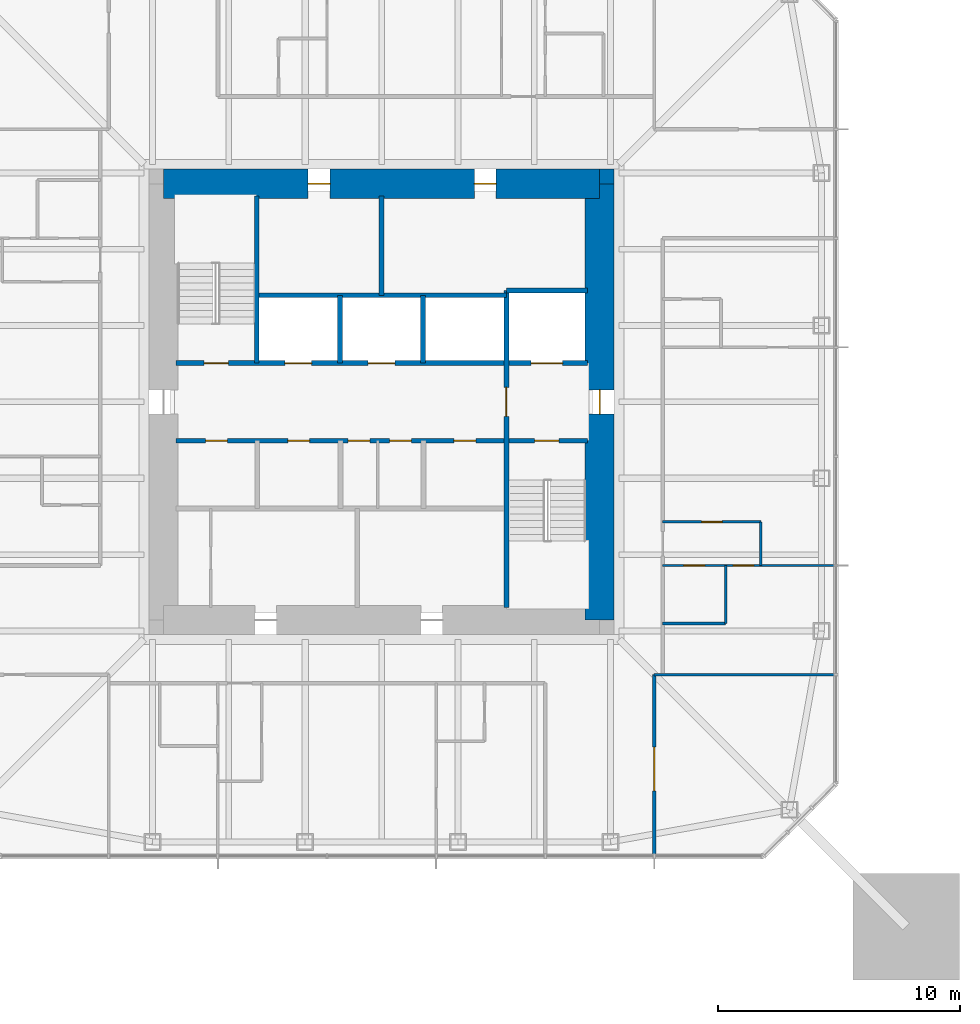
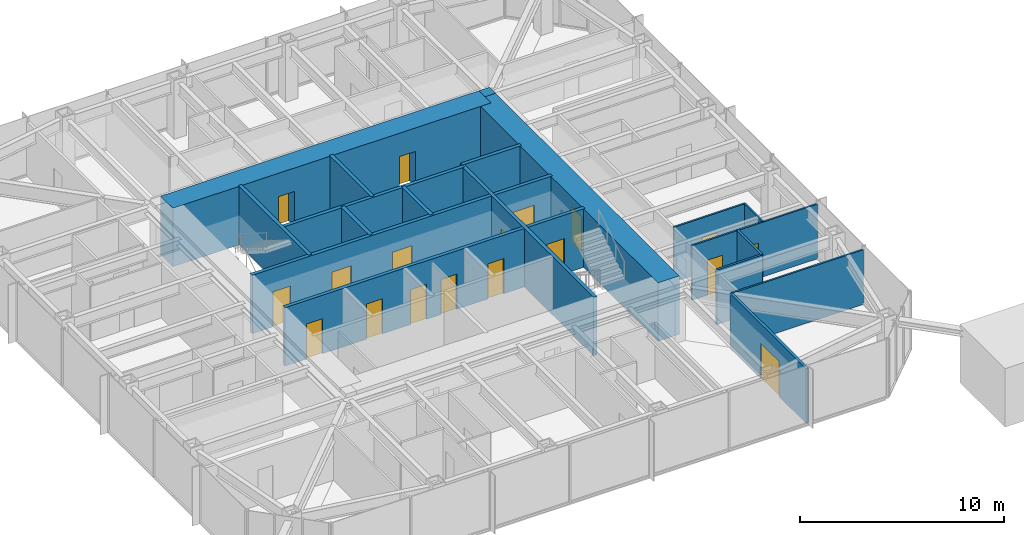
# One storey, part 7 of 11: 19 walls, 18 doors, 18 openings.
"""IFC4 building model written with IfcOpenShell, lengths in metres."""

from ifc_helpers import new_model, si_unit, direction, frame, frame_2d, origin, place, context, subcontext, project, spatial, rectangle, extrude, material, layer, layer_set, type_object, element, fill, save


model = new_model("IFC4")

# Units and contexts
model_context = context("Model", 3, precision=1e-05, world=origin(), true_north=direction((0.0, 1.0)))
body_context = subcontext(model_context, "Body", "Model", "MODEL_VIEW")
ifc_project = project(units=[si_unit("LENGTHUNIT", "METRE"), si_unit("AREAUNIT", "SQUARE_METRE"), si_unit("VOLUMEUNIT", "CUBIC_METRE"), si_unit("PLANEANGLEUNIT", "RADIAN"), si_unit("MASSUNIT", "GRAM", prefix="KILO")], contexts=[model_context])

# Site, building, storey
site_placement = place(None, origin())
site = spatial("IfcSite", under=ifc_project, at=site_placement, CompositionType="ELEMENT")
building_placement = place(site_placement, origin())
building = spatial("IfcBuilding", under=site, at=building_placement, Name="Iwan Alto Co-Living Towers", CompositionType="ELEMENT")
storey_placement = place(building_placement, frame((0.0, 0.0, 174.0)))
storey = spatial("IfcBuildingStorey", under=building, at=storey_placement, Name="L47", CompositionType="ELEMENT", Elevation=174.0)

# Wall, opening, door
ifc_material_1 = material(Name="Gypsum board")
ifc_layer_1 = layer(ifc_material_1, 0.02490234375, Name="Board", Category="Finish")
ifc_material_2 = material(Name="Steel ASTM A1003 ST33H cold-formed studs", Category="steel")
ifc_layer_2 = layer(ifc_material_2, 0.10009765625, Name="Studs", Category="Framing")
ifc_layer_3 = layer(ifc_material_1, 0.02490234375, Name="Board", Category="Finish")
ifc_layer_set_1 = layer_set([ifc_layer_1, ifc_layer_2, ifc_layer_3], Name="CORRIDOR WALL 150")
wall_type_1 = type_object("IfcWallType", Name="CORRIDOR WALL 150", PredefinedType="PARTITIONING", material=ifc_layer_set_1)
wall_1_placement = place(storey_placement, frame((11.25, -18.68994140625, 0.0), z_axis=(0.0, 0.0, 1.0), x_axis=(0.0, 1.0, 0.0)))
wall_1 = element("IfcWall", 1, at=wall_1_placement, inside=storey, type_object=wall_type_1, Name="Partition L47", PredefinedType="PARTITIONING", context=body_context, shape_type="SweptSolid", body=[
    extrude(rectangle(XDim=7.43994140625, YDim=0.14990234375, at=frame_2d((3.719970703125, 0.0))), origin(), (0.0, 0.0, 1.0), 3.27001953125),
])
opening_1_placement = place(wall_1_placement, frame((2.64501953125, 0.0, 0.0)))
opening_1 = element("IfcOpeningElement", 2, at=opening_1_placement, cuts=wall_1, Name="Opening D9", PredefinedType="OPENING", context=body_context, shape_type="SweptSolid", body=[
    extrude(rectangle(XDim=1.800048828125, YDim=2.10009765625, at=frame_2d((0.89990234375, 1.050048828125))), frame((0.0, 0.0849609375, 0.0), z_axis=(0.0, -1.0, 0.0), x_axis=(1.0, 0.0, 0.0)), (0.0, 0.0, 1.0), 0.169921875),
])
ifc_material_3 = material(Name="Steel frame with timber leaf", Category="steel")
door_type_1 = type_object("IfcDoorType", Name="LOUNGE DOOR FD30S 1800X2100", OperationType="DOUBLE_DOOR_SINGLE_SWING", PredefinedType="DOOR", material=ifc_material_3)
door_1_placement = place(opening_1_placement, frame((1.800048828125, 0.0, 0.0), z_axis=(0.0, 0.0, 1.0), x_axis=(-1.0, 0.0, 0.0)))
door_1 = element("IfcDoor", 3, at=door_1_placement, inside=storey, type_object=door_type_1, Name="Courtyard lounge door L47", OperationType="DOUBLE_DOOR_SINGLE_SWING", OverallHeight=2.10009765625, OverallWidth=1.800048828125, PredefinedType="DOOR", context=body_context, shape_type="SweptSolid", body=[
    extrude(rectangle(XDim=1.800048828125, YDim=2.10009765625, at=frame_2d((0.89990234375, 1.050048828125))), frame((0.0, 0.02490234375, 0.0), z_axis=(0.0, -1.0, 0.0), x_axis=(1.0, 0.0, 0.0)), (0.0, 0.0, 1.0), 0.050048828125),
])
fill(opening_1, door_1)

# Wall
ifc_layer_4 = layer(ifc_material_1, 0.012451171875, Name="Board", Category="Finish")
ifc_layer_5 = layer(ifc_material_2, 0.074951171875, Name="Studs", Category="Framing")
ifc_layer_6 = layer(ifc_material_1, 0.012451171875, Name="Board", Category="Finish")
ifc_layer_set_2 = layer_set([ifc_layer_4, ifc_layer_5, ifc_layer_6], Name="PARTITION 100")
wall_type_2 = type_object("IfcWallType", Name="PARTITION 100", PredefinedType="PARTITIONING", material=ifc_layer_set_2)
wall_2_placement = place(storey_placement, frame((11.25, -11.25, 0.0), z_axis=(0.0, 0.0, 1.0), x_axis=(1.0, 0.0, 0.0)))
element("IfcWall", 4, at=wall_2_placement, inside=storey, type_object=wall_type_2, Name="Partition L47", PredefinedType="PARTITIONING", context=body_context, shape_type="SweptSolid", body=[
    extrude(rectangle(XDim=7.43994140625, YDim=0.10009765625, at=frame_2d((3.719970703125, 0.0))), origin(), (0.0, 0.0, 1.0), 3.27001953125),
])

# Wall, openings, doors
wall_3_placement = place(storey_placement, frame((11.60009765625, -6.75, 0.0), z_axis=(0.0, 0.0, 1.0), x_axis=(1.0, 0.0, 0.0)))
wall_3 = element("IfcWall", 5, at=wall_3_placement, inside=storey, type_object=wall_type_2, Name="Partition L47", PredefinedType="PARTITIONING", context=body_context, shape_type="SweptSolid", body=[
    extrude(rectangle(XDim=7.08984375, YDim=0.10009765625, at=frame_2d((3.544921875, 0.0))), origin(), (0.0, 0.0, 1.0), 3.27001953125),
])
opening_2_placement = place(wall_3_placement, frame((2.89990234375, 0.0, 0.0)))
opening_2 = element("IfcOpeningElement", 6, at=opening_2_placement, cuts=wall_3, Name="Opening D2", PredefinedType="OPENING", context=body_context, shape_type="SweptSolid", body=[
    extrude(rectangle(XDim=0.85009765625, YDim=2.10009765625, at=frame_2d((0.425048828125, 1.050048828125))), frame((0.0, 0.06005859375, 0.0), z_axis=(0.0, -1.0, 0.0), x_axis=(1.0, 0.0, 0.0)), (0.0, 0.0, 1.0), 0.1201171875),
])
opening_3_placement = place(wall_3_placement, frame((0.875, 0.0, 0.0)))
opening_3 = element("IfcOpeningElement", 7, at=opening_3_placement, cuts=wall_3, Name="Opening D2", PredefinedType="OPENING", context=body_context, shape_type="SweptSolid", body=[
    extrude(rectangle(XDim=0.85009765625, YDim=2.10009765625, at=frame_2d((0.425048828125, 1.050048828125))), frame((0.0, 0.06005859375, 0.0), z_axis=(0.0, -1.0, 0.0), x_axis=(1.0, 0.0, 0.0)), (0.0, 0.0, 1.0), 0.1201171875),
])
ifc_material_4 = material(Name="Timber leaf in steel frame", Category="steel")
door_type_2 = type_object("IfcDoorType", Name="ROOM DOOR 850X2100", OperationType="SINGLE_SWING_LEFT", PredefinedType="DOOR", material=ifc_material_4)
door_2_placement = place(opening_2_placement, frame((0.85009765625, 0.0, 0.0), z_axis=(0.0, 0.0, 1.0), x_axis=(-1.0, 0.0, 0.0)))
door_2 = element("IfcDoor", 8, at=door_2_placement, inside=storey, type_object=door_type_2, Name="Bedroom door L47", OperationType="SINGLE_SWING_RIGHT", OverallHeight=2.10009765625, OverallWidth=0.85009765625, PredefinedType="DOOR", context=body_context, shape_type="SweptSolid", body=[
    extrude(rectangle(XDim=0.85009765625, YDim=2.10009765625, at=frame_2d((0.425048828125, 1.050048828125))), frame((0.0, 0.02490234375, 0.0), z_axis=(0.0, -1.0, 0.0), x_axis=(1.0, 0.0, 0.0)), (0.0, 0.0, 1.0), 0.050048828125),
])
fill(opening_2, door_2)
door_3_placement = place(opening_3_placement, frame((0.85009765625, 0.0, 0.0), z_axis=(0.0, 0.0, 1.0), x_axis=(-1.0, 0.0, 0.0)))
door_3 = element("IfcDoor", 9, at=door_3_placement, inside=storey, type_object=door_type_2, Name="Bathroom door L47", OperationType="SINGLE_SWING_RIGHT", OverallHeight=2.10009765625, OverallWidth=0.85009765625, PredefinedType="DOOR", context=body_context, shape_type="SweptSolid", body=[
    extrude(rectangle(XDim=0.85009765625, YDim=2.10009765625, at=frame_2d((0.425048828125, 1.050048828125))), frame((0.0, 0.02490234375, 0.0), z_axis=(0.0, -1.0, 0.0), x_axis=(1.0, 0.0, 0.0)), (0.0, 0.0, 1.0), 0.050048828125),
])
fill(opening_3, door_3)

# Wall, opening, door
wall_4_placement = place(storey_placement, frame((11.60009765625, -4.949951171875, 0.0), z_axis=(0.0, 0.0, 1.0), x_axis=(1.0, 0.0, 0.0)))
wall_4 = element("IfcWall", 10, at=wall_4_placement, inside=storey, type_object=wall_type_2, Name="Partition L47", PredefinedType="PARTITIONING", context=body_context, shape_type="SweptSolid", body=[
    extrude(rectangle(XDim=4.0498046875, YDim=0.10009765625, at=frame_2d((2.02490234375, 0.0))), origin(), (0.0, 0.0, 1.0), 3.27001953125),
])
opening_4_placement = place(wall_4_placement, frame((1.60009765625, 0.0, 0.0)))
opening_4 = element("IfcOpeningElement", 11, at=opening_4_placement, cuts=wall_4, Name="Opening D2", PredefinedType="OPENING", context=body_context, shape_type="SweptSolid", body=[
    extrude(rectangle(XDim=0.85009765625, YDim=2.10009765625, at=frame_2d((0.425048828125, 1.050048828125))), frame((0.0, 0.06005859375, 0.0), z_axis=(0.0, -1.0, 0.0), x_axis=(1.0, 0.0, 0.0)), (0.0, 0.0, 1.0), 0.1201171875),
])
door_4_placement = place(opening_4_placement, origin())
door_4 = element("IfcDoor", 12, at=door_4_placement, inside=storey, type_object=door_type_2, Name="Apartment foyer door L47", OperationType="SINGLE_SWING_LEFT", OverallHeight=2.10009765625, OverallWidth=0.85009765625, PredefinedType="DOOR", context=body_context, shape_type="SweptSolid", body=[
    extrude(rectangle(XDim=0.85009765625, YDim=2.10009765625, at=frame_2d((0.425048828125, 1.050048828125))), frame((0.0, 0.02490234375, 0.0), z_axis=(0.0, -1.0, 0.0), x_axis=(1.0, 0.0, 0.0)), (0.0, 0.0, 1.0), 0.050048828125),
])
fill(opening_4, door_4)

# Wall
wall_5_placement = place(storey_placement, frame((15.64990234375, -6.75, 0.0), z_axis=(0.0, 0.0, 1.0), x_axis=(0.0, 1.0, 0.0)))
element("IfcWall", 13, at=wall_5_placement, inside=storey, type_object=wall_type_2, Name="Partition L47", PredefinedType="PARTITIONING", context=body_context, shape_type="SweptSolid", body=[
    extrude(rectangle(XDim=1.800048828125, YDim=0.10009765625, at=frame_2d((0.89990234375, 0.0))), origin(), (0.0, 0.0, 1.0), 3.27001953125),
])

# Wall, openings, doors
ifc_material_5 = material(Name="Concrete f'c 70 MPa", Category="concrete")
ifc_layer_7 = layer(ifc_material_5, 0.199951171875)
ifc_layer_set_3 = layer_set([ifc_layer_7], Name="SHAFT WALL 200")
wall_type_3 = type_object("IfcWallType", Name="SHAFT WALL 200", PredefinedType="SOLIDWALL", material=ifc_layer_set_3)
wall_6_placement = place(storey_placement, frame((-8.489990234375, -1.60009765625, 0.0), z_axis=(0.0, 0.0, 1.0), x_axis=(1.0, 0.0, 0.0)))
wall_6 = element("IfcWall", 14, at=wall_6_placement, inside=storey, type_object=wall_type_3, Name="Shaft wall L47", PredefinedType="SOLIDWALL", context=body_context, shape_type="SweptSolid", body=[
    extrude(rectangle(XDim=16.97998046875, YDim=0.199951171875, at=frame_2d((8.489990234375, 0.0))), origin(), (0.0, 0.0, 1.0), 3.5),
])
opening_5_placement = place(wall_6_placement, frame((14.81005859375, 0.0, 0.0)))
opening_5 = element("IfcOpeningElement", 15, at=opening_5_placement, cuts=wall_6, Name="Opening D5", PredefinedType="OPENING", context=body_context, shape_type="SweptSolid", body=[
    extrude(rectangle(XDim=1.0, YDim=2.10009765625, at=frame_2d((0.5, 1.050048828125))), frame((0.0, 0.10986328125, 0.0), z_axis=(0.0, -1.0, 0.0), x_axis=(1.0, 0.0, 0.0)), (0.0, 0.0, 1.0), 0.219970703125),
])
opening_6_placement = place(wall_6_placement, frame((1.23193359375, 0.0, 0.0)))
opening_6 = element("IfcOpeningElement", 16, at=opening_6_placement, cuts=wall_6, Name="Opening D15", PredefinedType="OPENING", context=body_context, shape_type="SweptSolid", body=[
    extrude(rectangle(XDim=0.89990234375, YDim=2.10009765625, at=frame_2d((0.449951171875, 1.050048828125))), frame((0.0, 0.10986328125, 0.0), z_axis=(0.0, -1.0, 0.0), x_axis=(1.0, 0.0, 0.0)), (0.0, 0.0, 1.0), 0.219970703125),
])
opening_7_placement = place(wall_6_placement, frame((4.626953125, 0.0, 0.0)))
opening_7 = element("IfcOpeningElement", 17, at=opening_7_placement, cuts=wall_6, Name="Opening D15", PredefinedType="OPENING", context=body_context, shape_type="SweptSolid", body=[
    extrude(rectangle(XDim=0.89990234375, YDim=2.10009765625, at=frame_2d((0.449951171875, 1.050048828125))), frame((0.0, 0.10986328125, 0.0), z_axis=(0.0, -1.0, 0.0), x_axis=(1.0, 0.0, 0.0)), (0.0, 0.0, 1.0), 0.219970703125),
])
opening_8_placement = place(wall_6_placement, frame((8.822998046875, 0.0, 0.0)))
opening_8 = element("IfcOpeningElement", 18, at=opening_8_placement, cuts=wall_6, Name="Opening D15", PredefinedType="OPENING", context=body_context, shape_type="SweptSolid", body=[
    extrude(rectangle(XDim=0.89990234375, YDim=2.10009765625, at=frame_2d((0.449951171875, 1.050048828125))), frame((0.0, 0.10986328125, 0.0), z_axis=(0.0, -1.0, 0.0), x_axis=(1.0, 0.0, 0.0)), (0.0, 0.0, 1.0), 0.219970703125),
])
opening_9_placement = place(wall_6_placement, frame((7.110107421875, 0.0, 0.0)))
opening_9 = element("IfcOpeningElement", 19, at=opening_9_placement, cuts=wall_6, Name="Opening D15", PredefinedType="OPENING", context=body_context, shape_type="SweptSolid", body=[
    extrude(rectangle(XDim=0.89990234375, YDim=2.10009765625, at=frame_2d((0.449951171875, 1.050048828125))), frame((0.0, 0.10986328125, 0.0), z_axis=(0.0, -1.0, 0.0), x_axis=(1.0, 0.0, 0.0)), (0.0, 0.0, 1.0), 0.219970703125),
])
opening_10_placement = place(wall_6_placement, frame((11.47802734375, 0.0, 0.0)))
opening_10 = element("IfcOpeningElement", 20, at=opening_10_placement, cuts=wall_6, Name="Opening D15", PredefinedType="OPENING", context=body_context, shape_type="SweptSolid", body=[
    extrude(rectangle(XDim=0.89990234375, YDim=2.10009765625, at=frame_2d((0.449951171875, 1.050048828125))), frame((0.0, 0.10986328125, 0.0), z_axis=(0.0, -1.0, 0.0), x_axis=(1.0, 0.0, 0.0)), (0.0, 0.0, 1.0), 0.219970703125),
])
ifc_material_6 = material(Name="Steel frame with timber leaf", Category="steel")
door_type_3 = type_object("IfcDoorType", Name="CORE ROOM DOOR FD60S 900X2100", OperationType="SINGLE_SWING_LEFT", PredefinedType="DOOR", material=ifc_material_6)
door_5_placement = place(opening_6_placement, frame((0.89990234375, 0.0, 0.0), z_axis=(0.0, 0.0, 1.0), x_axis=(-1.0, 0.0, 0.0)))
door_5 = element("IfcDoor", 21, at=door_5_placement, inside=storey, type_object=door_type_3, Name="Housekeeping store door L47", OperationType="SINGLE_SWING_LEFT", OverallHeight=2.10009765625, OverallWidth=0.89990234375, PredefinedType="DOOR", context=body_context, shape_type="SweptSolid", body=[
    extrude(rectangle(XDim=0.89990234375, YDim=2.10009765625, at=frame_2d((0.449951171875, 1.050048828125))), frame((0.0, 0.02490234375, 0.0), z_axis=(0.0, -1.0, 0.0), x_axis=(1.0, 0.0, 0.0)), (0.0, 0.0, 1.0), 0.050048828125),
])
fill(opening_6, door_5)
door_6_placement = place(opening_7_placement, frame((0.89990234375, 0.0, 0.0), z_axis=(0.0, 0.0, 1.0), x_axis=(-1.0, 0.0, 0.0)))
door_6 = element("IfcDoor", 22, at=door_6_placement, inside=storey, type_object=door_type_3, Name="Linen store door L47", OperationType="SINGLE_SWING_RIGHT", OverallHeight=2.10009765625, OverallWidth=0.89990234375, PredefinedType="DOOR", context=body_context, shape_type="SweptSolid", body=[
    extrude(rectangle(XDim=0.89990234375, YDim=2.10009765625, at=frame_2d((0.449951171875, 1.050048828125))), frame((0.0, 0.02490234375, 0.0), z_axis=(0.0, -1.0, 0.0), x_axis=(1.0, 0.0, 0.0)), (0.0, 0.0, 1.0), 0.050048828125),
])
fill(opening_7, door_6)
door_7_placement = place(opening_8_placement, frame((0.89990234375, 0.0, 0.0), z_axis=(0.0, 0.0, 1.0), x_axis=(-1.0, 0.0, 0.0)))
door_7 = element("IfcDoor", 23, at=door_7_placement, inside=storey, type_object=door_type_3, Name="IT room door L47", OperationType="SINGLE_SWING_RIGHT", OverallHeight=2.10009765625, OverallWidth=0.89990234375, PredefinedType="DOOR", context=body_context, shape_type="SweptSolid", body=[
    extrude(rectangle(XDim=0.89990234375, YDim=2.10009765625, at=frame_2d((0.449951171875, 1.050048828125))), frame((0.0, 0.02490234375, 0.0), z_axis=(0.0, -1.0, 0.0), x_axis=(1.0, 0.0, 0.0)), (0.0, 0.0, 1.0), 0.050048828125),
])
fill(opening_8, door_7)
door_8_placement = place(opening_9_placement, frame((0.89990234375, 0.0, 0.0), z_axis=(0.0, 0.0, 1.0), x_axis=(-1.0, 0.0, 0.0)))
door_8 = element("IfcDoor", 24, at=door_8_placement, inside=storey, type_object=door_type_3, Name="Linen and housekeeping store door L47", OperationType="SINGLE_SWING_RIGHT", OverallHeight=2.10009765625, OverallWidth=0.89990234375, PredefinedType="DOOR", context=body_context, shape_type="SweptSolid", body=[
    extrude(rectangle(XDim=0.89990234375, YDim=2.10009765625, at=frame_2d((0.449951171875, 1.050048828125))), frame((0.0, 0.02490234375, 0.0), z_axis=(0.0, -1.0, 0.0), x_axis=(1.0, 0.0, 0.0)), (0.0, 0.0, 1.0), 0.050048828125),
])
fill(opening_9, door_8)
door_9_placement = place(opening_10_placement, frame((0.89990234375, 0.0, 0.0), z_axis=(0.0, 0.0, 1.0), x_axis=(-1.0, 0.0, 0.0)))
door_9 = element("IfcDoor", 25, at=door_9_placement, inside=storey, type_object=door_type_3, Name="Vending and ice room door L47", OperationType="SINGLE_SWING_RIGHT", OverallHeight=2.10009765625, OverallWidth=0.89990234375, PredefinedType="DOOR", context=body_context, shape_type="SweptSolid", body=[
    extrude(rectangle(XDim=0.89990234375, YDim=2.10009765625, at=frame_2d((0.449951171875, 1.050048828125))), frame((0.0, 0.02490234375, 0.0), z_axis=(0.0, -1.0, 0.0), x_axis=(1.0, 0.0, 0.0)), (0.0, 0.0, 1.0), 0.050048828125),
])
fill(opening_10, door_9)
ifc_material_7 = material(Name="Steel frame with timber leaf", Category="steel")
door_type_4 = type_object("IfcDoorType", Name="STAIR DOOR FD120S 1000X2100", OperationType="SINGLE_SWING_LEFT", PredefinedType="DOOR", material=ifc_material_7)
door_10_placement = place(opening_5_placement, frame((1.0, 0.0, 0.0), z_axis=(0.0, 0.0, 1.0), x_axis=(-1.0, 0.0, 0.0)))
door_10 = element("IfcDoor", 26, at=door_10_placement, inside=storey, type_object=door_type_4, Name="Stair S2 door L47", OperationType="SINGLE_SWING_RIGHT", OverallHeight=2.10009765625, OverallWidth=1.0, PredefinedType="DOOR", context=body_context, shape_type="SweptSolid", body=[
    extrude(rectangle(XDim=1.0, YDim=2.10009765625, at=frame_2d((0.5, 1.050048828125))), frame((0.0, 0.02490234375, 0.0), z_axis=(0.0, -1.0, 0.0), x_axis=(1.0, 0.0, 0.0)), (0.0, 0.0, 1.0), 0.050048828125),
])
fill(opening_5, door_10)

wall_7_placement = place(storey_placement, frame((-8.489990234375, 1.60009765625, 0.0), z_axis=(0.0, 0.0, 1.0), x_axis=(1.0, 0.0, 0.0)))
wall_7 = element("IfcWall", 27, at=wall_7_placement, inside=storey, type_object=wall_type_3, Name="Shaft wall L47", PredefinedType="SOLIDWALL", context=body_context, shape_type="SweptSolid", body=[
    extrude(rectangle(XDim=16.97998046875, YDim=0.199951171875, at=frame_2d((8.489990234375, 0.0))), origin(), (0.0, 0.0, 1.0), 3.5),
])
opening_11_placement = place(wall_7_placement, frame((1.169921875, 0.0, 0.0)))
opening_11 = element("IfcOpeningElement", 28, at=opening_11_placement, cuts=wall_7, Name="Opening D5", PredefinedType="OPENING", context=body_context, shape_type="SweptSolid", body=[
    extrude(rectangle(XDim=1.0, YDim=2.10009765625, at=frame_2d((0.5, 1.050048828125))), frame((0.0, 0.10986328125, 0.0), z_axis=(0.0, -1.0, 0.0), x_axis=(1.0, 0.0, 0.0)), (0.0, 0.0, 1.0), 0.219970703125),
])
opening_12_placement = place(wall_7_placement, frame((4.506103515625, 0.0, 0.0)))
opening_12 = element("IfcOpeningElement", 29, at=opening_12_placement, cuts=wall_7, Name="Opening LD", PredefinedType="OPENING", context=body_context, shape_type="SweptSolid", body=[
    extrude(rectangle(XDim=1.10009765625, YDim=2.10009765625, at=frame_2d((0.550048828125, 1.050048828125))), frame((0.0, 0.10986328125, 0.0), z_axis=(0.0, -1.0, 0.0), x_axis=(1.0, 0.0, 0.0)), (0.0, 0.0, 1.0), 0.219970703125),
])
opening_13_placement = place(wall_7_placement, frame((7.93994140625, 0.0, 0.0)))
opening_13 = element("IfcOpeningElement", 30, at=opening_13_placement, cuts=wall_7, Name="Opening LD", PredefinedType="OPENING", context=body_context, shape_type="SweptSolid", body=[
    extrude(rectangle(XDim=1.10009765625, YDim=2.10009765625, at=frame_2d((0.550048828125, 1.050048828125))), frame((0.0, 0.10986328125, 0.0), z_axis=(0.0, -1.0, 0.0), x_axis=(1.0, 0.0, 0.0)), (0.0, 0.0, 1.0), 0.219970703125),
])
opening_14_placement = place(wall_7_placement, frame((14.659912109375, 0.0, 0.0)))
opening_14 = element("IfcOpeningElement", 31, at=opening_14_placement, cuts=wall_7, Name="Opening LD2", PredefinedType="OPENING", context=body_context, shape_type="SweptSolid", body=[
    extrude(rectangle(XDim=1.300048828125, YDim=2.10009765625, at=frame_2d((0.64990234375, 1.050048828125))), frame((0.0, 0.10986328125, 0.0), z_axis=(0.0, -1.0, 0.0), x_axis=(1.0, 0.0, 0.0)), (0.0, 0.0, 1.0), 0.219970703125),
])
ifc_material_8 = material(Name="Steel frame with timber leaf", Category="steel")
door_type_5 = type_object("IfcDoorType", Name="LIFT LANDING DOOR 1100X2100", OperationType="DOUBLE_DOOR_SLIDING", PredefinedType="DOOR", material=ifc_material_8)
door_11_placement = place(opening_12_placement, origin())
door_11 = element("IfcDoor", 32, at=door_11_placement, inside=storey, type_object=door_type_5, Name="Lift P3-1 landing door L47", OperationType="DOUBLE_DOOR_SLIDING", OverallHeight=2.10009765625, OverallWidth=1.10009765625, PredefinedType="DOOR", context=body_context, shape_type="SweptSolid", body=[
    extrude(rectangle(XDim=1.10009765625, YDim=2.10009765625, at=frame_2d((0.550048828125, 1.050048828125))), frame((0.0, 0.02490234375, 0.0), z_axis=(0.0, -1.0, 0.0), x_axis=(1.0, 0.0, 0.0)), (0.0, 0.0, 1.0), 0.050048828125),
])
fill(opening_12, door_11)
door_12_placement = place(opening_13_placement, origin())
door_12 = element("IfcDoor", 33, at=door_12_placement, inside=storey, type_object=door_type_5, Name="Lift P3-2 landing door L47", OperationType="DOUBLE_DOOR_SLIDING", OverallHeight=2.10009765625, OverallWidth=1.10009765625, PredefinedType="DOOR", context=body_context, shape_type="SweptSolid", body=[
    extrude(rectangle(XDim=1.10009765625, YDim=2.10009765625, at=frame_2d((0.550048828125, 1.050048828125))), frame((0.0, 0.02490234375, 0.0), z_axis=(0.0, -1.0, 0.0), x_axis=(1.0, 0.0, 0.0)), (0.0, 0.0, 1.0), 0.050048828125),
])
fill(opening_13, door_12)
ifc_material_9 = material(Name="Steel frame with timber leaf", Category="steel")
door_type_6 = type_object("IfcDoorType", Name="LIFT LANDING DOOR 1300X2100", OperationType="SLIDING_TO_LEFT", PredefinedType="DOOR", material=ifc_material_9)
door_13_placement = place(opening_14_placement, origin())
door_13 = element("IfcDoor", 34, at=door_13_placement, inside=storey, type_object=door_type_6, Name="Lift FL1 landing door L47", OperationType="SLIDING_TO_LEFT", OverallHeight=2.10009765625, OverallWidth=1.300048828125, PredefinedType="DOOR", context=body_context, shape_type="SweptSolid", body=[
    extrude(rectangle(XDim=1.300048828125, YDim=2.10009765625, at=frame_2d((0.64990234375, 1.050048828125))), frame((0.0, 0.02490234375, 0.0), z_axis=(0.0, -1.0, 0.0), x_axis=(1.0, 0.0, 0.0)), (0.0, 0.0, 1.0), 0.050048828125),
])
fill(opening_14, door_13)
door_14_placement = place(opening_11_placement, origin())
door_14 = element("IfcDoor", 35, at=door_14_placement, inside=storey, type_object=door_type_4, Name="Stair S1 door L47", OperationType="SINGLE_SWING_RIGHT", OverallHeight=2.10009765625, OverallWidth=1.0, PredefinedType="DOOR", context=body_context, shape_type="SweptSolid", body=[
    extrude(rectangle(XDim=1.0, YDim=2.10009765625, at=frame_2d((0.5, 1.050048828125))), frame((0.0, 0.02490234375, 0.0), z_axis=(0.0, -1.0, 0.0), x_axis=(1.0, 0.0, 0.0)), (0.0, 0.0, 1.0), 0.050048828125),
])
fill(opening_11, door_14)

# Walls
wall_8_placement = place(storey_placement, frame((-5.14990234375, 4.39990234375, 0.0), z_axis=(0.0, 0.0, 1.0), x_axis=(1.0, 0.0, 0.0)))
element("IfcWall", 36, at=wall_8_placement, inside=storey, type_object=wall_type_3, Name="Shaft wall L47", PredefinedType="SOLIDWALL", context=body_context, shape_type="SweptSolid", body=[
    extrude(rectangle(XDim=10.2998046875, YDim=0.199951171875, at=frame_2d((5.14990234375, 0.0))), origin(), (0.0, 0.0, 1.0), 3.5),
])
wall_9_placement = place(storey_placement, frame((5.14990234375, 4.60009765625, 0.0), z_axis=(0.0, 0.0, 1.0), x_axis=(1.0, 0.0, 0.0)))
element("IfcWall", 37, at=wall_9_placement, inside=storey, type_object=wall_type_3, Name="Shaft wall L47", PredefinedType="SOLIDWALL", context=body_context, shape_type="SweptSolid", body=[
    extrude(rectangle(XDim=3.340087890625, YDim=0.199951171875, at=frame_2d((1.669921875, 0.0))), origin(), (0.0, 0.0, 1.0), 3.5),
])

# Wall, opening, door
wall_10_placement = place(storey_placement, frame((5.14990234375, -8.489990234375, 0.0), z_axis=(0.0, 0.0, 1.0), x_axis=(0.0, 1.0, 0.0)))
wall_10 = element("IfcWall", 38, at=wall_10_placement, inside=storey, type_object=wall_type_3, Name="Shaft wall L47", PredefinedType="SOLIDWALL", context=body_context, shape_type="SweptSolid", body=[
    extrude(rectangle(XDim=13.090087890625, YDim=0.199951171875, at=frame_2d((6.544921875, 0.0))), origin(), (0.0, 0.0, 1.0), 3.5),
])
opening_15_placement = place(wall_10_placement, frame((7.889892578125, 0.0, 0.0)))
opening_15 = element("IfcOpeningElement", 39, at=opening_15_placement, cuts=wall_10, Name="Opening D6", PredefinedType="OPENING", context=body_context, shape_type="SweptSolid", body=[
    extrude(rectangle(XDim=1.199951171875, YDim=2.10009765625, at=frame_2d((0.60009765625, 1.050048828125))), frame((0.0, 0.10986328125, 0.0), z_axis=(0.0, -1.0, 0.0), x_axis=(1.0, 0.0, 0.0)), (0.0, 0.0, 1.0), 0.219970703125),
])
ifc_material_10 = material(Name="Steel frame with timber leaf", Category="steel")
door_type_7 = type_object("IfcDoorType", Name="LOBBY DOOR FD120S 1200X2100", OperationType="SINGLE_SWING_LEFT", PredefinedType="DOOR", material=ifc_material_10)
door_15_placement = place(opening_15_placement, frame((1.199951171875, 0.0, 0.0), z_axis=(0.0, 0.0, 1.0), x_axis=(-1.0, 0.0, 0.0)))
door_15 = element("IfcDoor", 40, at=door_15_placement, inside=storey, type_object=door_type_7, Name="Firefighting lobby door L47", OperationType="SINGLE_SWING_RIGHT", OverallHeight=2.10009765625, OverallWidth=1.199951171875, PredefinedType="DOOR", context=body_context, shape_type="SweptSolid", body=[
    extrude(rectangle(XDim=1.199951171875, YDim=2.10009765625, at=frame_2d((0.60009765625, 1.050048828125))), frame((0.0, 0.02490234375, 0.0), z_axis=(0.0, -1.0, 0.0), x_axis=(1.0, 0.0, 0.0)), (0.0, 0.0, 1.0), 0.050048828125),
])
fill(opening_15, door_15)

# Walls
wall_11_placement = place(storey_placement, frame((1.717041015625, 1.60009765625, 0.0), z_axis=(0.0, 0.0, 1.0), x_axis=(0.0, 1.0, 0.0)))
element("IfcWall", 41, at=wall_11_placement, inside=storey, type_object=wall_type_3, Name="Shaft wall L47", PredefinedType="SOLIDWALL", context=body_context, shape_type="SweptSolid", body=[
    extrude(rectangle(XDim=2.7998046875, YDim=0.199951171875, at=frame_2d((1.39990234375, 0.0))), origin(), (0.0, 0.0, 1.0), 3.5),
])
wall_12_placement = place(storey_placement, frame((0.0, 4.39990234375, 0.0), z_axis=(0.0, 0.0, 1.0), x_axis=(0.0, 1.0, 0.0)))
element("IfcWall", 42, at=wall_12_placement, inside=storey, type_object=wall_type_3, Name="Shaft wall L47", PredefinedType="SOLIDWALL", context=body_context, shape_type="SweptSolid", body=[
    extrude(rectangle(XDim=4.090087890625, YDim=0.199951171875, at=frame_2d((2.044921875, 0.0))), origin(), (0.0, 0.0, 1.0), 3.5),
])
wall_13_placement = place(storey_placement, frame((-1.717041015625, 1.60009765625, 0.0), z_axis=(0.0, 0.0, 1.0), x_axis=(0.0, 1.0, 0.0)))
element("IfcWall", 43, at=wall_13_placement, inside=storey, type_object=wall_type_3, Name="Shaft wall L47", PredefinedType="SOLIDWALL", context=body_context, shape_type="SweptSolid", body=[
    extrude(rectangle(XDim=2.7998046875, YDim=0.199951171875, at=frame_2d((1.39990234375, 0.0))), origin(), (0.0, 0.0, 1.0), 3.5),
])
wall_14_placement = place(storey_placement, frame((-5.14990234375, 1.60009765625, 0.0), z_axis=(0.0, 0.0, 1.0), x_axis=(0.0, 1.0, 0.0)))
element("IfcWall", 44, at=wall_14_placement, inside=storey, type_object=wall_type_3, Name="Shaft wall L47", PredefinedType="SOLIDWALL", context=body_context, shape_type="SweptSolid", body=[
    extrude(rectangle(XDim=6.889892578125, YDim=0.199951171875, at=frame_2d((3.44482421875, 0.0))), origin(), (0.0, 0.0, 1.0), 3.5),
])
ifc_material_11 = material(Name="Concrete f'c 70 MPa", Category="concrete")
ifc_layer_8 = layer(ifc_material_11, 0.60009765625)
ifc_layer_set_4 = layer_set([ifc_layer_8], Name="T1 CORE CORNER FILL 600")
wall_type_4 = type_object("IfcWallType", Name="T1 CORE CORNER FILL 600", PredefinedType="SOLIDWALL", material=ifc_layer_set_4)
wall_15_placement = place(storey_placement, frame((9.0, 9.300048828125, 0.0), z_axis=(0.0, 0.0, 1.0), x_axis=(1.0, 0.0, 0.0)))
element("IfcWall", 45, at=wall_15_placement, inside=storey, type_object=wall_type_4, Name="T1 core corner NE L47", PredefinedType="SOLIDWALL", context=body_context, shape_type="SweptSolid", body=[
    extrude(rectangle(XDim=0.60009765625, YDim=0.60009765625, at=frame_2d((0.300048828125, 0.0))), origin(), (0.0, 0.0, 1.0), 3.5),
])

# Wall, openings, doors
ifc_material_12 = material(Name="Concrete f'c 70 MPa", Category="concrete")
ifc_layer_9 = layer(ifc_material_12, 1.199951171875)
ifc_layer_set_5 = layer_set([ifc_layer_9], Name="T1 CORE WALL 1200")
wall_type_5 = type_object("IfcWallType", Name="T1 CORE WALL 1200", PredefinedType="SHEAR", material=ifc_layer_set_5)
wall_16_placement = place(storey_placement, frame((9.0, 9.0, 0.0), z_axis=(0.0, 0.0, 1.0), x_axis=(-1.0, 0.0, 0.0)))
wall_16 = element("IfcWall", 46, at=wall_16_placement, inside=storey, type_object=wall_type_5, Name="T1 core wall N L47", PredefinedType="SHEAR", context=body_context, shape_type="SweptSolid", body=[
    extrude(rectangle(XDim=18.0, YDim=1.199951171875, at=frame_2d((9.0, 0.0))), origin(), (0.0, 0.0, 1.0), 3.5),
])
opening_16_placement = place(wall_16_placement, frame((11.125, 0.0, 0.0)))
opening_16 = element("IfcOpeningElement", 47, at=opening_16_placement, cuts=wall_16, Name="Opening D8", PredefinedType="OPENING", context=body_context, shape_type="SweptSolid", body=[
    extrude(rectangle(XDim=0.89990234375, YDim=2.10009765625, at=frame_2d((0.449951171875, 1.050048828125))), frame((0.0, 0.60986328125, 0.0), z_axis=(0.0, -1.0, 0.0), x_axis=(1.0, 0.0, 0.0)), (0.0, 0.0, 1.0), 1.219970703125),
])
opening_17_placement = place(wall_16_placement, frame((4.27490234375, 0.0, 0.0)))
opening_17 = element("IfcOpeningElement", 48, at=opening_17_placement, cuts=wall_16, Name="Opening D8", PredefinedType="OPENING", context=body_context, shape_type="SweptSolid", body=[
    extrude(rectangle(XDim=0.89990234375, YDim=2.10009765625, at=frame_2d((0.449951171875, 1.050048828125))), frame((0.0, 0.60986328125, 0.0), z_axis=(0.0, -1.0, 0.0), x_axis=(1.0, 0.0, 0.0)), (0.0, 0.0, 1.0), 1.219970703125),
])
ifc_material_13 = material(Name="Steel frame with timber leaf", Category="steel")
door_type_8 = type_object("IfcDoorType", Name="RISER DOOR FD120 900X2100", OperationType="SINGLE_SWING_LEFT", PredefinedType="DOOR", material=ifc_material_13)
door_16_placement = place(opening_16_placement, origin())
door_16 = element("IfcDoor", 49, at=door_16_placement, inside=storey, type_object=door_type_8, Name="Electrical riser core door L47", OperationType="SINGLE_SWING_RIGHT", OverallHeight=2.10009765625, OverallWidth=0.89990234375, PredefinedType="DOOR", context=body_context, shape_type="SweptSolid", body=[
    extrude(rectangle(XDim=0.89990234375, YDim=2.10009765625, at=frame_2d((0.449951171875, 1.050048828125))), frame((0.0, 0.02490234375, 0.0), z_axis=(0.0, -1.0, 0.0), x_axis=(1.0, 0.0, 0.0)), (0.0, 0.0, 1.0), 0.050048828125),
])
fill(opening_16, door_16)
door_17_placement = place(opening_17_placement, origin())
door_17 = element("IfcDoor", 50, at=door_17_placement, inside=storey, type_object=door_type_8, Name="Water and drainage riser core door L47", OperationType="SINGLE_SWING_RIGHT", OverallHeight=2.10009765625, OverallWidth=0.89990234375, PredefinedType="DOOR", context=body_context, shape_type="SweptSolid", body=[
    extrude(rectangle(XDim=0.89990234375, YDim=2.10009765625, at=frame_2d((0.449951171875, 1.050048828125))), frame((0.0, 0.02490234375, 0.0), z_axis=(0.0, -1.0, 0.0), x_axis=(1.0, 0.0, 0.0)), (0.0, 0.0, 1.0), 0.050048828125),
])
fill(opening_17, door_17)

# Wall, opening, door
wall_17_placement = place(storey_placement, frame((9.0, -9.0, 0.0), z_axis=(0.0, 0.0, 1.0), x_axis=(0.0, 1.0, 0.0)))
wall_17 = element("IfcWall", 51, at=wall_17_placement, inside=storey, type_object=wall_type_5, Name="T1 core wall E L47", PredefinedType="SHEAR", context=body_context, shape_type="SweptSolid", body=[
    extrude(rectangle(XDim=18.0, YDim=1.199951171875, at=frame_2d((9.0, 0.0))), origin(), (0.0, 0.0, 1.0), 3.5),
])
opening_18_placement = place(wall_17_placement, frame((8.5, 0.0, 0.0)))
opening_18 = element("IfcOpeningElement", 52, at=opening_18_placement, cuts=wall_17, Name="Opening D7", PredefinedType="OPENING", context=body_context, shape_type="SweptSolid", body=[
    extrude(rectangle(XDim=1.0, YDim=2.10009765625, at=frame_2d((0.5, 1.050048828125))), frame((0.0, 0.60986328125, 0.0), z_axis=(0.0, -1.0, 0.0), x_axis=(1.0, 0.0, 0.0)), (0.0, 0.0, 1.0), 1.219970703125),
])
ifc_material_14 = material(Name="Steel frame with timber leaf", Category="steel")
door_type_9 = type_object("IfcDoorType", Name="CORE DOOR FD120S 1000X2100", OperationType="SINGLE_SWING_LEFT", PredefinedType="DOOR", material=ifc_material_14)
door_18_placement = place(opening_18_placement, origin())
door_18 = element("IfcDoor", 53, at=door_18_placement, inside=storey, type_object=door_type_9, Name="Firefighting lobby core door L47", OperationType="SINGLE_SWING_LEFT", OverallHeight=2.10009765625, OverallWidth=1.0, PredefinedType="DOOR", context=body_context, shape_type="SweptSolid", body=[
    extrude(rectangle(XDim=1.0, YDim=2.10009765625, at=frame_2d((0.5, 1.050048828125))), frame((0.0, 0.02490234375, 0.0), z_axis=(0.0, -1.0, 0.0), x_axis=(1.0, 0.0, 0.0)), (0.0, 0.0, 1.0), 0.050048828125),
])
fill(opening_18, door_18)

# Walls
ifc_material_15 = material(Name="Cement board")
ifc_layer_10 = layer(ifc_material_15, 0.012451171875, Name="Board", Category="Finish")
ifc_layer_11 = layer(ifc_material_2, 0.094970703125, Name="Studs", Category="Framing")
ifc_layer_12 = layer(ifc_material_15, 0.012451171875, Name="Board", Category="Finish")
ifc_layer_set_6 = layer_set([ifc_layer_10, ifc_layer_11, ifc_layer_12], Name="WET AREA PARTITION 120")
wall_type_6 = type_object("IfcWallType", Name="WET AREA PARTITION 120", PredefinedType="PARTITIONING", material=ifc_layer_set_6)
wall_18_placement = place(storey_placement, frame((11.60009765625, -9.14990234375, 0.0), z_axis=(0.0, 0.0, 1.0), x_axis=(1.0, 0.0, 0.0)))
element("IfcWall", 54, at=wall_18_placement, inside=storey, type_object=wall_type_6, Name="Partition L47", PredefinedType="PARTITIONING", context=body_context, shape_type="SweptSolid", body=[
    extrude(rectangle(XDim=2.599853515625, YDim=0.1201171875, at=frame_2d((1.2998046875, 0.0))), origin(), (0.0, 0.0, 1.0), 3.27001953125),
])
wall_19_placement = place(storey_placement, frame((14.199951171875, -9.14990234375, 0.0), z_axis=(0.0, 0.0, 1.0), x_axis=(0.0, 1.0, 0.0)))
element("IfcWall", 55, at=wall_19_placement, inside=storey, type_object=wall_type_6, Name="Partition L47", PredefinedType="PARTITIONING", context=body_context, shape_type="SweptSolid", body=[
    extrude(rectangle(XDim=2.39990234375, YDim=0.1201171875, at=frame_2d((1.199951171875, 0.0))), origin(), (0.0, 0.0, 1.0), 3.27001953125),
])

save(model, "model.ifc")
